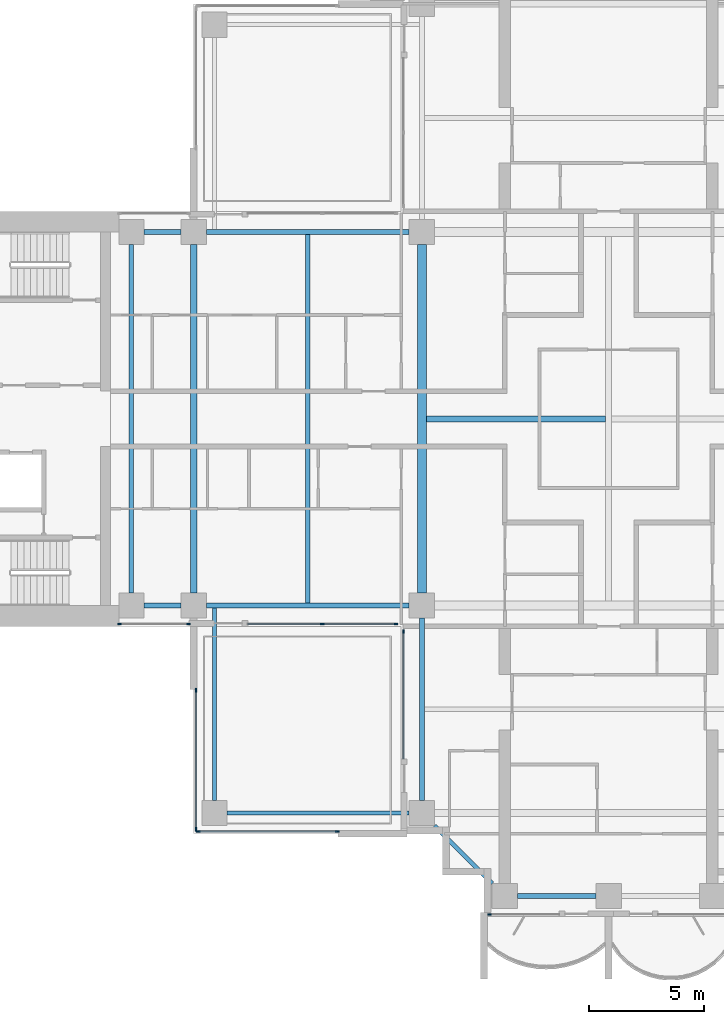
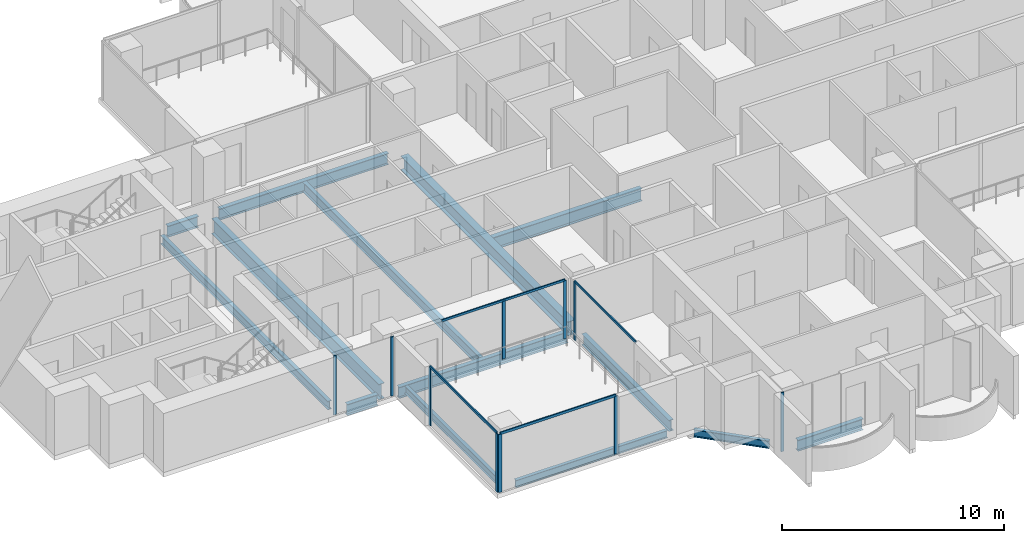
# One storey, part 2 of 18: 14 beams, 14 members, 6 elements without a shape of their own.
"""IFC4 building model written with IfcOpenShell, lengths in metres."""

from ifc_helpers import new_model, si_unit, direction, frame, origin, origin_2d, place, context, subcontext, project, spatial, rectangle, i_section, extrude, material, material_profile, profile_set, type_object, element, aggregate, save


model = new_model("IFC4")

# Units and contexts
model_context = context("Model", 3, precision=1e-05, world=origin(), true_north=direction((0.0, 1.0)))
body_context = subcontext(model_context, "Body", "Model", "MODEL_VIEW")
ifc_project = project(units=[si_unit("LENGTHUNIT", "METRE"), si_unit("AREAUNIT", "SQUARE_METRE"), si_unit("VOLUMEUNIT", "CUBIC_METRE"), si_unit("PLANEANGLEUNIT", "RADIAN"), si_unit("MASSUNIT", "GRAM", prefix="KILO")], contexts=[model_context])

# Site, building, storey
site_placement = place(None, origin())
site = spatial("IfcSite", under=ifc_project, at=site_placement, CompositionType="ELEMENT")
building_placement = place(site_placement, origin())
building = spatial("IfcBuilding", under=site, at=building_placement, Name="Perihelion Cross Residences", CompositionType="ELEMENT")
storey_placement = place(building_placement, frame((0.0, 0.0, 140.89990234375)))
storey = spatial("IfcBuildingStorey", under=building, at=storey_placement, Name="L34", CompositionType="ELEMENT", Elevation=140.89990234375)

# Curtain wall, members
ifc_material_1 = material(Name="Bronze anodised aluminium, tinted glazing", Category="aluminium")
curtain_wall_type_1 = type_object("IfcCurtainWallType", Name="CW1", PredefinedType="NOTDEFINED", material=ifc_material_1)
curtain_wall_1_placement = place(storey_placement, origin())
curtain_wall_1 = element("IfcCurtainWall", 1, at=curtain_wall_1_placement, inside=storey, type_object=curtain_wall_type_1, Name="Curtain wall CW1 L34 west side south bay 1", PredefinedType="NOTDEFINED")
ifc_material_2 = material(Name="Bronze anodised aluminium", Category="aluminium")
ifc_material_profile_1 = material_profile(ifc_material_2, rectangle(XDim=0.06005859375, YDim=0.159912109375, at=origin_2d()), Name="CW1 mullion")
ifc_profile_set_1 = profile_set([ifc_material_profile_1], Name="Bronze anodised aluminium")
member_type_1 = type_object("IfcMemberType", Name="CW1 mullion", PredefinedType="MULLION", material=ifc_profile_set_1)
member_1_placement = place(storey_placement, frame((-21.219970703125, -8.89990234375, 0.0), z_axis=(0.0, 0.0, 1.0), x_axis=(0.0, 1.0, 0.0)))
member_1 = element("IfcMember", 2, at=member_1_placement, type_object=member_type_1, Name="CW1 mullion 1", PredefinedType="MULLION", context=body_context, shape_type="SweptSolid", body=[
    extrude(rectangle(XDim=0.06005859375, YDim=0.159912109375, at=origin_2d()), origin(), (0.0, 0.0, 1.0), 3.25),
])
member_2_placement = place(storey_placement, frame((-18.22998046875, -8.89990234375, 0.0), z_axis=(0.0, 0.0, 1.0), x_axis=(0.0, 1.0, 0.0)))
member_2 = element("IfcMember", 3, at=member_2_placement, type_object=member_type_1, Name="CW1 mullion 2", PredefinedType="MULLION", context=body_context, shape_type="SweptSolid", body=[
    extrude(rectangle(XDim=0.06005859375, YDim=0.159912109375, at=origin_2d()), origin(), (0.0, 0.0, 1.0), 3.25),
])
aggregate(curtain_wall_1, [member_1, member_2])

curtain_wall_2_placement = place(storey_placement, origin())
curtain_wall_2 = element("IfcCurtainWall", 4, at=curtain_wall_2_placement, inside=storey, type_object=curtain_wall_type_1, Name="Curtain wall CW1 L34 west side south bay 2", PredefinedType="NOTDEFINED")
member_3_placement = place(storey_placement, frame((-12.425048828125, -8.89990234375, 0.0), z_axis=(0.0, 0.0, 1.0), x_axis=(0.0, 1.0, 0.0)))
member_3 = element("IfcMember", 5, at=member_3_placement, type_object=member_type_1, Name="CW1 mullion 2", PredefinedType="MULLION", context=body_context, shape_type="SweptSolid", body=[
    extrude(rectangle(XDim=0.06005859375, YDim=0.159912109375, at=origin_2d()), origin(), (0.0, 0.0, 1.0), 3.190185546875),
])
member_4_placement = place(storey_placement, frame((-9.22998046875, -8.89990234375, 0.0), z_axis=(0.0, 0.0, 1.0), x_axis=(0.0, 1.0, 0.0)))
member_4 = element("IfcMember", 6, at=member_4_placement, type_object=member_type_1, Name="CW1 mullion 3", PredefinedType="MULLION", context=body_context, shape_type="SweptSolid", body=[
    extrude(rectangle(XDim=0.06005859375, YDim=0.159912109375, at=origin_2d()), origin(), (0.0, 0.0, 1.0), 3.190185546875),
])

# Curtain wall, member
curtain_wall_3_placement = place(storey_placement, origin())
curtain_wall_3 = element("IfcCurtainWall", 7, at=curtain_wall_3_placement, inside=storey, type_object=curtain_wall_type_1, Name="Curtain wall CW1 L34 south side west bay 1", PredefinedType="NOTDEFINED")
member_5_placement = place(storey_placement, frame((-8.89990234375, -9.22998046875, 0.0), z_axis=(0.0, 0.0, 1.0), x_axis=(1.0, 0.0, 0.0)))
member_5 = element("IfcMember", 8, at=member_5_placement, type_object=member_type_1, Name="CW1 mullion 1", PredefinedType="MULLION", context=body_context, shape_type="SweptSolid", body=[
    extrude(rectangle(XDim=0.06005859375, YDim=0.159912109375, at=origin_2d()), origin(), (0.0, 0.0, 1.0), 3.190185546875),
])

curtain_wall_4_placement = place(storey_placement, origin())
curtain_wall_4 = element("IfcCurtainWall", 9, at=curtain_wall_4_placement, inside=storey, type_object=curtain_wall_type_1, Name="Curtain wall CW1 L34 south tip south bay 1", PredefinedType="NOTDEFINED")
member_6_placement = place(storey_placement, frame((-5.169921875, -21.5, 0.0), z_axis=(0.0, 0.0, 1.0), x_axis=(0.0, 1.0, 0.0)))
member_6 = element("IfcMember", 10, at=member_6_placement, type_object=member_type_1, Name="CW1 mullion 1", PredefinedType="MULLION", context=body_context, shape_type="SweptSolid", body=[
    extrude(rectangle(XDim=0.06005859375, YDim=0.159912109375, at=origin_2d()), origin(), (0.0, 0.0, 1.0), 3.25),
])
aggregate(curtain_wall_4, [member_6])

# Member
ifc_material_3 = material(Name="Bronze anodised aluminium", Category="aluminium")
ifc_material_profile_2 = material_profile(ifc_material_3, rectangle(XDim=0.06005859375, YDim=0.1201171875, at=origin_2d()), Name="CW1 transom")
ifc_profile_set_2 = profile_set([ifc_material_profile_2], Name="Bronze anodised aluminium")
member_type_2 = type_object("IfcMemberType", Name="CW1 transom", PredefinedType="USERDEFINED", material=ifc_profile_set_2)
member_7_placement = place(storey_placement, frame((-15.64990234375, -8.89990234375, 3.22021484375), z_axis=(1.0, 0.0, 0.0), x_axis=(0.0, 1.0, 0.0)))
member_7 = element("IfcMember", 11, at=member_7_placement, type_object=member_type_2, Name="CW1 head transom", ObjectType="TRANSOM", PredefinedType="USERDEFINED", context=body_context, shape_type="SweptSolid", body=[
    extrude(rectangle(XDim=0.06005859375, YDim=0.1201171875, at=origin_2d()), origin(), (0.0, 0.0, 1.0), 6.419921875),
])

aggregate(curtain_wall_2, [member_3, member_4, member_7])

member_8_placement = place(storey_placement, frame((-8.89990234375, -9.22998046875, 3.22021484375), z_axis=(0.0, -1.0, 0.0), x_axis=(1.0, 0.0, 0.0)))
member_8 = element("IfcMember", 12, at=member_8_placement, type_object=member_type_2, Name="CW1 head transom", ObjectType="TRANSOM", PredefinedType="USERDEFINED", context=body_context, shape_type="SweptSolid", body=[
    extrude(rectangle(XDim=0.06005859375, YDim=0.1201171875, at=origin_2d()), origin(), (0.0, 0.0, 1.0), 5.52001953125),
])

aggregate(curtain_wall_3, [member_5, member_8])

# Curtain wall, members
ifc_material_4 = material(Name="Bronze anodised aluminium, tinted glazing", Category="aluminium")
curtain_wall_type_2 = type_object("IfcCurtainWallType", Name="CW4", PredefinedType="NOTDEFINED", material=ifc_material_4)
curtain_wall_5_placement = place(storey_placement, origin())
curtain_wall_5 = element("IfcCurtainWall", 13, at=curtain_wall_5_placement, inside=storey, type_object=curtain_wall_type_2, Name="Curtain wall CW4 L34 pocket south-west 1 1", PredefinedType="NOTDEFINED")
ifc_material_5 = material(Name="Bronze anodised aluminium", Category="aluminium")
ifc_material_profile_3 = material_profile(ifc_material_5, rectangle(XDim=0.06005859375, YDim=0.179931640625, at=origin_2d()), Name="CW4 mullion")
ifc_profile_set_3 = profile_set([ifc_material_profile_3], Name="Bronze anodised aluminium")
member_type_3 = type_object("IfcMemberType", Name="CW4 mullion", PredefinedType="MULLION", material=ifc_profile_set_3)
member_9_placement = place(storey_placement, frame((-11.77001953125, -17.89990234375, 0.0), z_axis=(0.0, 0.0, 1.0), x_axis=(0.0, -1.0, 0.0)))
member_9 = element("IfcMember", 14, at=member_9_placement, type_object=member_type_3, Name="CW4 mullion 1", PredefinedType="MULLION", context=body_context, shape_type="SweptSolid", body=[
    extrude(rectangle(XDim=0.06005859375, YDim=0.179931640625, at=origin_2d()), origin(), (0.0, 0.0, 1.0), 3.190185546875),
])
member_10_placement = place(storey_placement, frame((-17.800048828125, -17.89990234375, 0.0), z_axis=(0.0, 0.0, 1.0), x_axis=(0.0, -1.0, 0.0)))
member_10 = element("IfcMember", 15, at=member_10_placement, type_object=member_type_3, Name="CW4 mullion 2", PredefinedType="MULLION", context=body_context, shape_type="SweptSolid", body=[
    extrude(rectangle(XDim=0.06005859375, YDim=0.179931640625, at=origin_2d()), origin(), (0.0, 0.0, 1.0), 3.190185546875),
])

curtain_wall_6_placement = place(storey_placement, origin())
curtain_wall_6 = element("IfcCurtainWall", 16, at=curtain_wall_6_placement, inside=storey, type_object=curtain_wall_type_2, Name="Curtain wall CW4 L34 pocket south-west 1 2", PredefinedType="NOTDEFINED")
member_11_placement = place(storey_placement, frame((-17.89990234375, -17.800048828125, 0.0), z_axis=(0.0, 0.0, 1.0), x_axis=(-1.0, 0.0, 0.0)))
member_11 = element("IfcMember", 17, at=member_11_placement, type_object=member_type_3, Name="CW4 mullion 1", PredefinedType="MULLION", context=body_context, shape_type="SweptSolid", body=[
    extrude(rectangle(XDim=0.06005859375, YDim=0.179931640625, at=origin_2d()), origin(), (0.0, 0.0, 1.0), 3.190185546875),
])
member_12_placement = place(storey_placement, frame((-17.89990234375, -11.77001953125, 0.0), z_axis=(0.0, 0.0, 1.0), x_axis=(-1.0, 0.0, 0.0)))
member_12 = element("IfcMember", 18, at=member_12_placement, type_object=member_type_3, Name="CW4 mullion 2", PredefinedType="MULLION", context=body_context, shape_type="SweptSolid", body=[
    extrude(rectangle(XDim=0.06005859375, YDim=0.179931640625, at=origin_2d()), origin(), (0.0, 0.0, 1.0), 3.190185546875),
])

# Member
ifc_material_6 = material(Name="Bronze anodised aluminium", Category="aluminium")
ifc_material_profile_4 = material_profile(ifc_material_6, rectangle(XDim=0.06005859375, YDim=0.139892578125, at=origin_2d()), Name="CW4 transom")
ifc_profile_set_4 = profile_set([ifc_material_profile_4], Name="Bronze anodised aluminium")
member_type_4 = type_object("IfcMemberType", Name="CW4 transom", PredefinedType="USERDEFINED", material=ifc_profile_set_4)
member_13_placement = place(storey_placement, frame((-11.77001953125, -17.89990234375, 3.22021484375), z_axis=(-1.0, 0.0, 0.0), x_axis=(0.0, -1.0, 0.0)))
member_13 = element("IfcMember", 19, at=member_13_placement, type_object=member_type_4, Name="CW4 head transom", ObjectType="TRANSOM", PredefinedType="USERDEFINED", context=body_context, shape_type="SweptSolid", body=[
    extrude(rectangle(XDim=0.06005859375, YDim=0.139892578125, at=origin_2d()), origin(), (0.0, 0.0, 1.0), 6.030029296875),
])

aggregate(curtain_wall_5, [member_9, member_10, member_13])

member_14_placement = place(storey_placement, frame((-17.89990234375, -17.800048828125, 3.22021484375), z_axis=(0.0, 1.0, 0.0), x_axis=(-1.0, 0.0, 0.0)))
member_14 = element("IfcMember", 20, at=member_14_placement, type_object=member_type_4, Name="CW4 head transom", ObjectType="TRANSOM", PredefinedType="USERDEFINED", context=body_context, shape_type="SweptSolid", body=[
    extrude(rectangle(XDim=0.06005859375, YDim=0.139892578125, at=origin_2d()), origin(), (0.0, 0.0, 1.0), 6.030029296875),
])

aggregate(curtain_wall_6, [member_11, member_12, member_14])

# Beams
ifc_material_7 = material(Name="Steel S355", Category="steel")
ifc_material_profile_5 = material_profile(ifc_material_7, i_section(OverallWidth=0.177978515625, OverallDepth=0.406005859375, WebThickness=0.0078125, FlangeThickness=0.0126953125, at=origin_2d()), Name="W410x60")
ifc_profile_set_5 = profile_set([ifc_material_profile_5], Name="Steel S355")
beam_type_1 = type_object("IfcBeamType", Name="Core edge beam W410x60", PredefinedType="BEAM", material=ifc_profile_set_5)
beam_1_placement = place(storey_placement, frame((-17.10009765625, -8.214599609375, -0.452880859375), z_axis=(0.0, -1.0, 0.0), x_axis=(1.0, 0.0, 0.0)))
element("IfcBeam", 21, at=beam_1_placement, inside=storey, type_object=beam_type_1, Name="Core edge beam TB2 L34 corner no. 1", PredefinedType="BEAM", context=body_context, shape_type="SweptSolid", body=[
    extrude(i_section(OverallWidth=0.177978515625, OverallDepth=0.406005859375, WebThickness=0.0078125, FlangeThickness=0.0126953125, at=origin_2d()), origin(), (0.0, 0.0, 1.0), 8.33544921875),
])
beam_2_placement = place(storey_placement, frame((-8.64990234375, -17.10009765625, -0.452880859375), z_axis=(-1.0, 0.0, 0.0), x_axis=(0.0, -1.0, 0.0)))
element("IfcBeam", 22, at=beam_2_placement, inside=storey, type_object=beam_type_1, Name="Core edge beam TB2 L34 corner no. 2", PredefinedType="BEAM", context=body_context, shape_type="SweptSolid", body=[
    extrude(i_section(OverallWidth=0.177978515625, OverallDepth=0.406005859375, WebThickness=0.0078125, FlangeThickness=0.0126953125, at=origin_2d()), origin(), (0.0, 0.0, 1.0), 7.900146484375),
])
ifc_material_8 = material(Name="Steel S355", Category="steel")
ifc_material_profile_6 = material_profile(ifc_material_8, i_section(OverallWidth=0.194091796875, OverallDepth=0.469970703125, WebThickness=0.0126953125, FlangeThickness=0.0205078125, at=origin_2d()), Name="W460x106")
ifc_profile_set_6 = profile_set([ifc_material_profile_6], Name="Steel S355")
beam_type_2 = type_object("IfcBeamType", Name="Core edge beam W460x106", PredefinedType="BEAM", material=ifc_profile_set_6)
beam_3_placement = place(storey_placement, frame((-20.699951171875, -7.550048828125, -0.48486328125), z_axis=(0.0, 1.0, 0.0), x_axis=(-1.0, 0.0, 0.0)))
element("IfcBeam", 23, at=beam_3_placement, inside=storey, type_object=beam_type_2, Name="Core edge beam TB5 L34 no. 1", PredefinedType="BEAM", context=body_context, shape_type="SweptSolid", body=[
    extrude(i_section(OverallWidth=0.194091796875, OverallDepth=0.469970703125, WebThickness=0.0126953125, FlangeThickness=0.0205078125, at=origin_2d()), origin(), (0.0, 0.0, 1.0), 15.10009765625),
])
ifc_material_9 = material(Name="Steel S355", Category="steel")
ifc_material_profile_7 = material_profile(ifc_material_9, i_section(OverallWidth=0.22900390625, OverallDepth=0.612060546875, WebThickness=0.011962890625, FlangeThickness=0.01953125, at=origin_2d()), Name="W610x125")
ifc_profile_set_7 = profile_set([ifc_material_profile_7], Name="Steel S355")
beam_type_3 = type_object("IfcBeamType", Name="Edge beam W610x125", PredefinedType="SPANDREL", material=ifc_profile_set_7)
beam_4_placement = place(storey_placement, frame((-8.64990234375, 8.10009765625, -0.555908203125), z_axis=(-1.0, 0.0, 0.0), x_axis=(0.0, -1.0, 0.0)))
element("IfcBeam", 24, at=beam_4_placement, inside=storey, type_object=beam_type_3, Name="Edge beam SB3 L34 no. 8", PredefinedType="SPANDREL", context=body_context, shape_type="SweptSolid", body=[
    extrude(i_section(OverallWidth=0.22900390625, OverallDepth=0.612060546875, WebThickness=0.011962890625, FlangeThickness=0.01953125, at=origin_2d()), origin(), (0.0, 0.0, 1.0), 8.800048828125),
])
for number, where, z_axis, x_axis, name in (
    (25, (-18.550048828125, 8.10009765625, -0.555908203125), (-1.0, 0.0, 0.0), (0.0, -1.0, 0.0), "Edge beam SB3 L34 no. 2"),
    (26, (-20.14990234375, -8.10009765625, -0.555908203125), (1.0, 0.0, 0.0), (0.0, 1.0, 0.0), "Edge beam SB3 L34 no. 3"),
):
    element("IfcBeam", number, at=place(storey_placement, frame(where, z_axis=z_axis, x_axis=x_axis)), inside=storey, type_object=beam_type_3, Name=name, PredefinedType="SPANDREL", context=body_context, shape_type="SweptSolid", body=[
        extrude(i_section(OverallWidth=0.22900390625, OverallDepth=0.612060546875, WebThickness=0.011962890625, FlangeThickness=0.01953125, at=origin_2d()), origin(), (0.0, 0.0, 1.0), 1.599853515625),
    ])
beam_5_placement = place(storey_placement, frame((-17.449951171875, -8.10009765625, -0.555908203125), z_axis=(1.0, 0.0, 0.0), x_axis=(0.0, 1.0, 0.0)))
element("IfcBeam", 27, at=beam_5_placement, inside=storey, type_object=beam_type_3, Name="Edge beam SB3 L34 no. 1", PredefinedType="SPANDREL", context=body_context, shape_type="SweptSolid", body=[
    extrude(i_section(OverallWidth=0.22900390625, OverallDepth=0.612060546875, WebThickness=0.011962890625, FlangeThickness=0.01953125, at=origin_2d()), origin(), (0.0, 0.0, 1.0), 8.800048828125),
])
beam_6_placement = place(storey_placement, frame((-8.10009765625, -8.64990234375, -0.555908203125), z_axis=(0.0, -1.0, 0.0), x_axis=(1.0, 0.0, 0.0)))
element("IfcBeam", 28, at=beam_6_placement, inside=storey, type_object=beam_type_3, Name="Edge beam SB3 L34 no. 5", PredefinedType="SPANDREL", context=body_context, shape_type="SweptSolid", body=[
    extrude(i_section(OverallWidth=0.22900390625, OverallDepth=0.612060546875, WebThickness=0.011962890625, FlangeThickness=0.01953125, at=origin_2d()), origin(), (0.0, 0.0, 1.0), 7.900146484375),
])
beam_7_placement = place(storey_placement, frame((-3.949951171875, -20.699951171875, -0.555908203125), z_axis=(1.0, 0.0, 0.0), x_axis=(0.0, 1.0, 0.0)))
element("IfcBeam", 29, at=beam_7_placement, inside=storey, type_object=beam_type_3, Name="Edge beam SB3 L34 no. 4", PredefinedType="SPANDREL", context=body_context, shape_type="SweptSolid", body=[
    extrude(i_section(OverallWidth=0.22900390625, OverallDepth=0.612060546875, WebThickness=0.011962890625, FlangeThickness=0.01953125, at=origin_2d()), origin(), (0.0, 0.0, 1.0), 3.39990234375),
])
ifc_material_10 = material(Name="Steel S355", Category="steel")
ifc_material_profile_8 = material_profile(ifc_material_10, i_section(OverallWidth=0.2919921875, OverallDepth=0.8359375, WebThickness=0.013916015625, FlangeThickness=0.018798828125, at=origin_2d()), Name="W840x176")
ifc_profile_set_8 = profile_set([ifc_material_profile_8], Name="Steel S355")
beam_type_4 = type_object("IfcBeamType", Name="Floor girder W840x176", PredefinedType="BEAM", material=ifc_profile_set_8)
beam_8_placement = place(storey_placement, frame((-18.0, -7.550048828125, -0.66796875), z_axis=(0.0, 1.0, 0.0), x_axis=(-1.0, 0.0, 0.0)))
element("IfcBeam", 30, at=beam_8_placement, inside=storey, type_object=beam_type_4, Name="Girder G3 L34 no. 1", PredefinedType="BEAM", context=body_context, shape_type="SweptSolid", body=[
    extrude(i_section(OverallWidth=0.2919921875, OverallDepth=0.8359375, WebThickness=0.013916015625, FlangeThickness=0.018798828125, at=origin_2d()), origin(), (0.0, 0.0, 1.0), 15.10009765625),
])
ifc_material_11 = material(Name="Steel S355", Category="steel")
ifc_material_profile_9 = material_profile(ifc_material_11, i_section(OverallWidth=0.208984375, OverallDepth=0.532958984375, WebThickness=0.01025390625, FlangeThickness=0.015625, at=origin_2d()), Name="W530x92")
ifc_profile_set_9 = profile_set([ifc_material_profile_9], Name="Steel S355")
beam_type_5 = type_object("IfcBeamType", Name="Floor joist W530x92", PredefinedType="JOIST", material=ifc_profile_set_9)
beam_9_placement = place(storey_placement, frame((-13.050048828125, -7.985595703125, -0.516357421875), z_axis=(0.0, 1.0, 0.0), x_axis=(-1.0, 0.0, 0.0)))
element("IfcBeam", 31, at=beam_9_placement, inside=storey, type_object=beam_type_5, Name="Joist J4 L34 no. 1", PredefinedType="JOIST", context=body_context, shape_type="SweptSolid", body=[
    extrude(i_section(OverallWidth=0.208984375, OverallDepth=0.532958984375, WebThickness=0.01025390625, FlangeThickness=0.015625, at=origin_2d()), origin(), (0.0, 0.0, 1.0), 15.97119140625),
])
ifc_material_12 = material(Name="Steel S355", Category="steel")
ifc_material_profile_10 = material_profile(ifc_material_12, i_section(OverallWidth=0.257080078125, OverallDepth=0.693115234375, WebThickness=0.014404296875, FlangeThickness=0.023681640625, at=origin_2d()), Name="W690x170")
ifc_profile_set_10 = profile_set([ifc_material_profile_10], Name="Steel S355")
beam_type_6 = type_object("IfcBeamType", Name="Hub cross beam W690x170", PredefinedType="BEAM", material=ifc_profile_set_10)
beam_10_placement = place(storey_placement, frame((-7.909423828125, 0.0, -0.596435546875), z_axis=(1.0, 0.0, 0.0), x_axis=(0.0, 1.0, 0.0)))
element("IfcBeam", 32, at=beam_10_placement, inside=storey, type_object=beam_type_6, Name="Hub cross beam XB3 L34 1 no. 1", PredefinedType="BEAM", context=body_context, shape_type="SweptSolid", body=[
    extrude(i_section(OverallWidth=0.257080078125, OverallDepth=0.693115234375, WebThickness=0.014404296875, FlangeThickness=0.023681640625, at=origin_2d()), origin(), (0.0, 0.0, 1.0), 7.781005859375),
])
ifc_material_13 = material(Name="Steel S355", Category="steel")
ifc_material_profile_11 = material_profile(ifc_material_13, i_section(OverallWidth=0.381103515625, OverallDepth=0.77197265625, WebThickness=0.0166015625, FlangeThickness=0.027099609375, at=origin_2d()), Name="W760x257")
ifc_profile_set_11 = profile_set([ifc_material_profile_11], Name="Steel S355")
beam_type_7 = type_object("IfcBeamType", Name="Hub ring girder W760x257", PredefinedType="BEAM", material=ifc_profile_set_11)
beam_11_placement = place(storey_placement, frame((-8.10009765625, 7.550048828125, -0.635986328125), z_axis=(0.0, -1.0, 0.0), x_axis=(1.0, 0.0, 0.0)))
element("IfcBeam", 33, at=beam_11_placement, inside=storey, type_object=beam_type_7, Name="Hub ring girder RG3 L34 no. 2", PredefinedType="BEAM", context=body_context, shape_type="SweptSolid", body=[
    extrude(i_section(OverallWidth=0.381103515625, OverallDepth=0.77197265625, WebThickness=0.0166015625, FlangeThickness=0.027099609375, at=origin_2d()), origin(), (0.0, 0.0, 1.0), 15.10009765625),
])
ifc_material_14 = material(Name="Steel S355", Category="steel")
ifc_material_profile_12 = material_profile(ifc_material_14, i_section(OverallWidth=0.180908203125, OverallDepth=0.4169921875, WebThickness=0.010986328125, FlangeThickness=0.018310546875, at=origin_2d()), Name="W410x85")
ifc_profile_set_12 = profile_set([ifc_material_profile_12], Name="Steel S355")
beam_type_8 = type_object("IfcBeamType", Name="Serration edge beam W410x85", PredefinedType="BEAM", material=ifc_profile_set_12)
beam_12_placement = place(storey_placement, frame((-7.550048828125, -17.64990234375, -0.45849609375), z_axis=(0.707106781187, -0.707106781187, 0.0), x_axis=(0.707106781187, 0.707106781187, 0.0)))
element("IfcBeam", 34, at=beam_12_placement, inside=storey, type_object=beam_type_8, Name="Serration edge beam EB3 L34 no. 2", PredefinedType="BEAM", context=body_context, shape_type="SweptSolid", body=[
    extrude(i_section(OverallWidth=0.180908203125, OverallDepth=0.4169921875, WebThickness=0.010986328125, FlangeThickness=0.018310546875, at=origin_2d()), origin(), (0.0, 0.0, 1.0), 3.53564453125),
])

save(model, "model.ifc")
